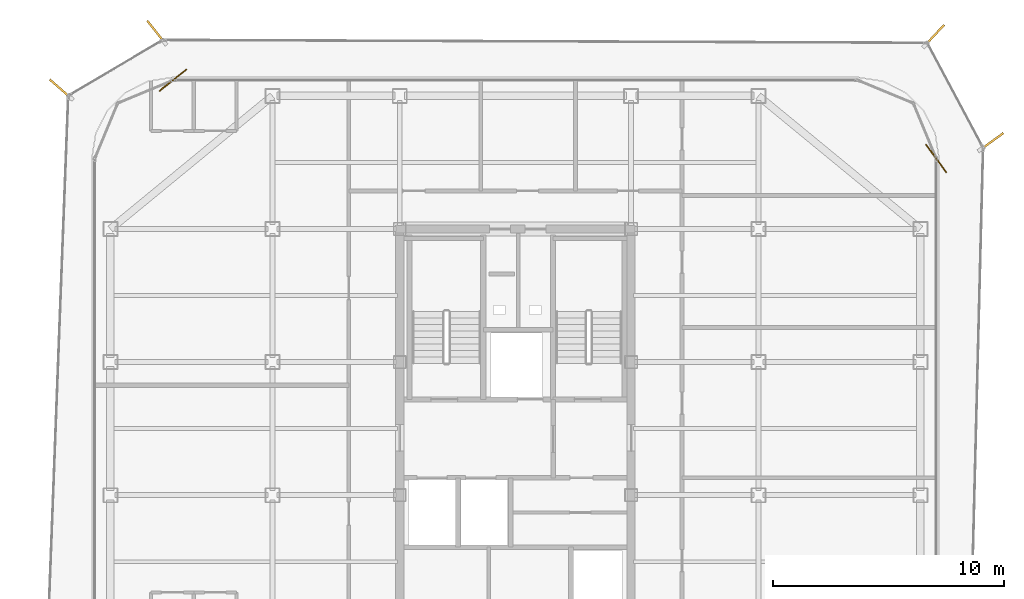
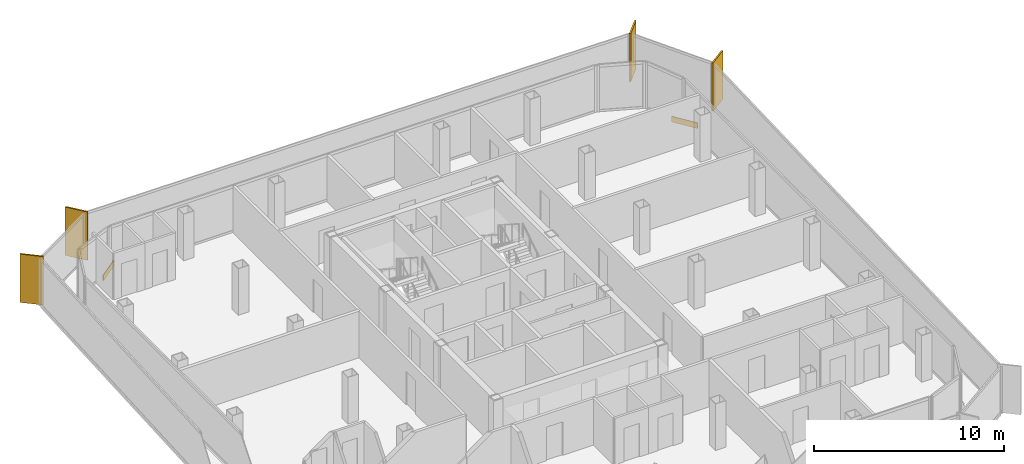
# One storey, part 15 of 15: 4 shading devices, 2 coverings.
"""IFC4 building model written with IfcOpenShell, lengths in metres."""

from ifc_helpers import new_model, si_unit, direction, frame, origin, origin_2d, place, context, subcontext, project, spatial, rectangle, extrude, source, transform, mapped, material, layer, layer_set, type_object, element, save


model = new_model("IFC4")

# Units and contexts
model_context = context("Model", 3, precision=1e-05, world=origin(), true_north=direction((0.0, 1.0)))
body_context = subcontext(model_context, "Body", "Model", "MODEL_VIEW")
ifc_project = project(units=[si_unit("LENGTHUNIT", "METRE"), si_unit("AREAUNIT", "SQUARE_METRE"), si_unit("VOLUMEUNIT", "CUBIC_METRE"), si_unit("PLANEANGLEUNIT", "RADIAN"), si_unit("MASSUNIT", "GRAM", prefix="KILO")], contexts=[model_context])

# Site, building, storey
site_placement = place(None, origin())
site = spatial("IfcSite", under=ifc_project, at=site_placement, CompositionType="ELEMENT")
building_placement = place(site_placement, origin())
building = spatial("IfcBuilding", under=site, at=building_placement, Name="Kolveth Station Tower", CompositionType="ELEMENT")
storey_placement = place(building_placement, frame((0.0, 0.0, 220.10009765625)))
storey = spatial("IfcBuildingStorey", under=building, at=storey_placement, Name="L62", CompositionType="ELEMENT", Elevation=220.10009765625)

# Shading devices
ifc_material_1 = material(Name="Black anodized aluminium 6063-T6", Category="aluminium")
shading_device_type = type_object("IfcShadingDeviceType", Name="FIN_VF1", PredefinedType="USERDEFINED", material=ifc_material_1)
shared_shape_1 = source(origin(), body_context, "Body", "SweptSolid", [
    extrude(rectangle(XDim=1.25, YDim=0.090087890625, at=origin_2d()), origin(), (0.0, 0.0, 1.0), 3.10009765625),
])
for number, where, z_axis, x_axis, name in (
    (1, (44.0791015625, 32.531005859375, -0.000244140625), (0.0, 0.0, 1.0), (0.810348553241, 0.585948139565, 0.0), "L62 Dark-Aluminium Solar Fin 3"),
    (2, (41.60400390625, 37.1201171875, -0.000244140625), (0.0, 0.0, 1.0), (0.680976533192, 0.732305237754, 0.0), "L62 Dark-Aluminium Solar Fin 4"),
    (3, (7.97607421875, 37.264892578125, -0.000244140625), (0.0, 0.0, 1.0), (-0.620600507707, 0.784126909266, 0.0), "L62 Dark-Aluminium Solar Fin 5"),
    (4, (3.842041015625, 34.804931640625, -0.000244140625), (0.0, 0.0, 1.0), (-0.7534486472, 0.657506757404, 0.0), "L62 Dark-Aluminium Solar Fin 6"),
):
    element("IfcShadingDevice", number, at=place(storey_placement, frame(where, z_axis=z_axis, x_axis=x_axis)), inside=storey, type_object=shading_device_type, Name=name, ObjectType="FIN", PredefinedType="USERDEFINED", context=body_context, shape_type="MappedRepresentation", body=[
        mapped(shared_shape_1, transform((0.0, 0.0, 0.0), x_axis=(1.0, 0.0, 0.0), y_axis=(0.0, 1.0, 0.0), z_axis=(0.0, 0.0, 1.0), scale=1.0)),
    ])

# Coverings
ifc_material_2 = material(Name="Charcoal anodized aluminium spandrel cladding", Category="aluminium")
ifc_layer = layer(ifc_material_2, 0.044921875)
ifc_layer_set = layer_set([ifc_layer], Name="Charcoal anodized aluminium spandrel cladding")
covering_type = type_object("IfcCoveringType", Name="Clad_CD1", PredefinedType="CLADDING", material=ifc_layer_set)
shared_shape_2 = source(origin(), body_context, "Body", "SweptSolid", [
    extrude(rectangle(XDim=1.5, YDim=0.044921875, at=origin_2d()), origin(), (0.0, 0.0, 1.0), 0.360107421875),
])
for number, where, z_axis, x_axis, name in (
    (5, (41.679931640625, 31.800048828125, 0.0), (0.0, 0.0, 1.0), (-0.585948139565, 0.810348553241, 0.0), "L62 Spandrel Edge Cladding 3"),
    (6, (8.699951171875, 35.179931640625, 0.0), (0.0, 0.0, 1.0), (-0.784126909266, -0.620600507707, 0.0), "L62 Spandrel Edge Cladding 5"),
):
    element("IfcCovering", number, at=place(storey_placement, frame(where, z_axis=z_axis, x_axis=x_axis)), inside=storey, type_object=covering_type, Name=name, PredefinedType="CLADDING", context=body_context, shape_type="MappedRepresentation", body=[
        mapped(shared_shape_2, transform((0.0, 0.0, 0.0), x_axis=(1.0, 0.0, 0.0), y_axis=(0.0, 1.0, 0.0), z_axis=(0.0, 0.0, 1.0), scale=1.0)),
    ])

save(model, "model.ifc")
